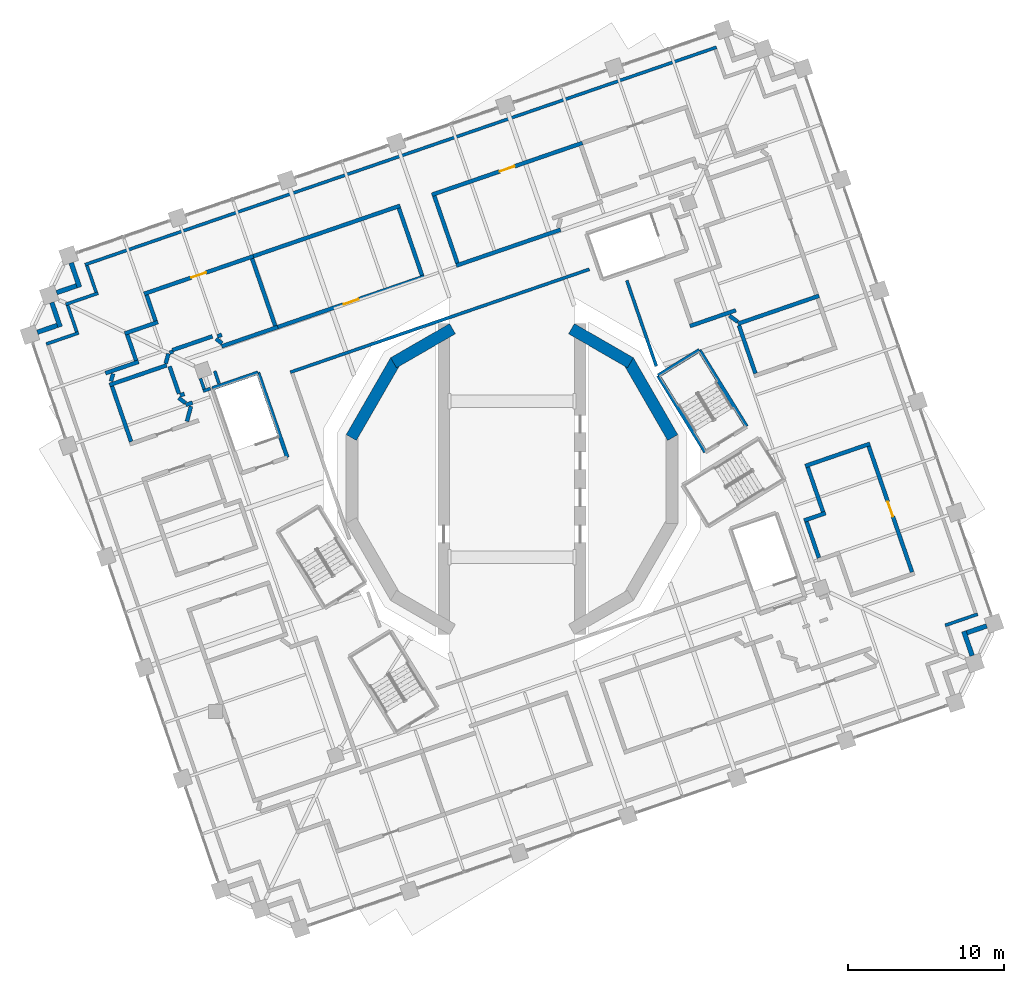
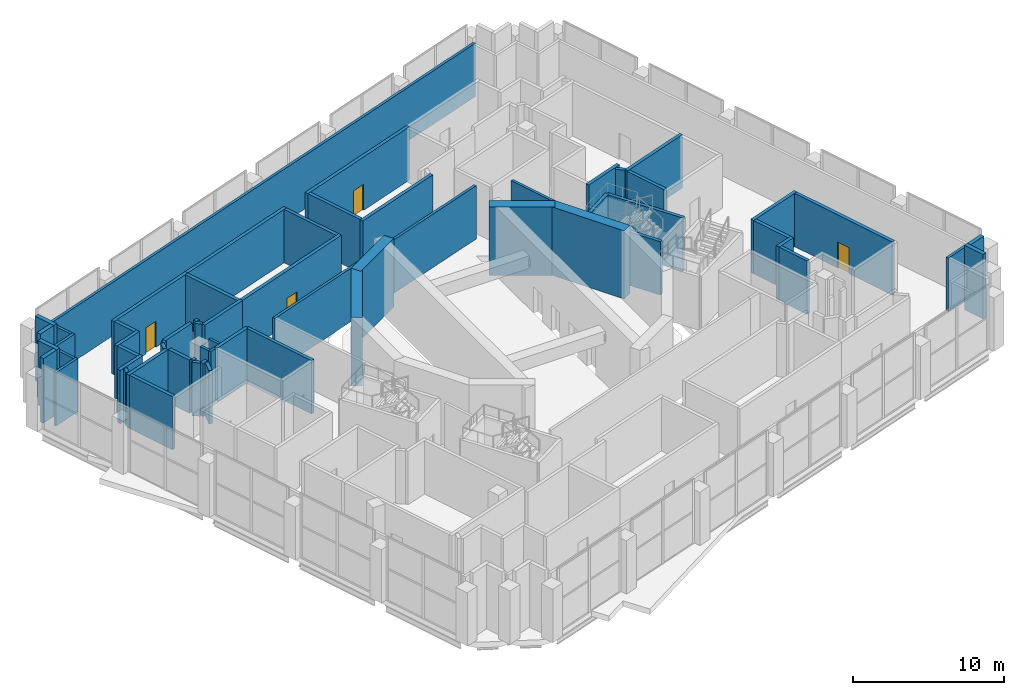
# One storey, part 13 of 20: 61 walls, 4 doors, 4 openings.
"""IFC4 building model written with IfcOpenShell, lengths in metres."""

from ifc_helpers import new_model, si_unit, direction, frame, frame_2d, origin, place, context, subcontext, project, spatial, rectangle, extrude, material, layer, layer_set, type_object, element, fill, save


model = new_model("IFC4")

# Units and contexts
model_context = context("Model", 3, precision=1e-05, world=origin(), true_north=direction((0.0, 1.0)))
body_context = subcontext(model_context, "Body", "Model", "MODEL_VIEW")
ifc_project = project(units=[si_unit("LENGTHUNIT", "METRE"), si_unit("AREAUNIT", "SQUARE_METRE"), si_unit("VOLUMEUNIT", "CUBIC_METRE"), si_unit("PLANEANGLEUNIT", "RADIAN"), si_unit("MASSUNIT", "GRAM", prefix="KILO")], contexts=[model_context])

# Site, building, storey
site_placement = place(None, origin())
site = spatial("IfcSite", under=ifc_project, at=site_placement, CompositionType="ELEMENT")
building_placement = place(site_placement, origin())
building = spatial("IfcBuilding", under=site, at=building_placement, Name="Cantera Rosa Tower", CompositionType="ELEMENT")
storey_placement = place(building_placement, frame((0.0, 0.0, 142.10009765625)))
storey = spatial("IfcBuildingStorey", under=building, at=storey_placement, Name="L30", CompositionType="ELEMENT", Elevation=142.10009765625)

# Walls
ifc_material_1 = material(Name="Masonry blockwork", Category="masonry")
ifc_layer_1 = layer(ifc_material_1, 0.199951171875)
ifc_layer_set_1 = layer_set([ifc_layer_1], Name="Blockwork partition 200")
wall_type_1 = type_object("IfcWallType", Name="Blockwork partition 200", PredefinedType="PARTITIONING", material=ifc_layer_set_1)
wall_1_placement = place(storey_placement, frame((9.2490234375, 7.2333984375, 0.0), z_axis=(0.0, 0.0, 1.0), x_axis=(-0.325597252795, 0.945508555737, 0.0)))
element("IfcWall", 1, at=wall_1_placement, inside=storey, type_object=wall_type_1, Name="Partition L30-1", PredefinedType="PARTITIONING", context=body_context, shape_type="SweptSolid", body=[
    extrude(rectangle(XDim=5.814208984375, YDim=0.199951171875, at=frame_2d((2.9072265625, 0.0))), origin(), (0.0, 0.0, 1.0), 4.2998046875),
])
wall_2_placement = place(storey_placement, frame((-14.20361328125, 6.848876953125, 0.0), z_axis=(0.0, 0.0, 1.0), x_axis=(0.945517704448, 0.325570684454, 0.0)))
element("IfcWall", 2, at=wall_2_placement, inside=storey, type_object=wall_type_1, Name="Partition L30-2", PredefinedType="PARTITIONING", context=body_context, shape_type="SweptSolid", body=[
    extrude(rectangle(XDim=20.2626953125, YDim=0.199951171875, at=frame_2d((10.13134765625, 0.0))), origin(), (0.0, 0.0, 1.0), 4.2998046875),
])
wall_3_placement = place(storey_placement, frame((-27.890869140625, 9.43359375, 0.0), z_axis=(0.0, 0.0, 1.0), x_axis=(-0.32553083102, 0.945531426266, 0.0)))
element("IfcWall", 3, at=wall_3_placement, inside=storey, type_object=wall_type_1, Name="Partition L30-114", PredefinedType="PARTITIONING", context=body_context, shape_type="SweptSolid", body=[
    extrude(rectangle(XDim=1.800048828125, YDim=0.199951171875, at=frame_2d((0.89990234375, 0.0))), origin(), (0.0, 0.0, 1.0), 4.2998046875),
])
for number, where, z_axis, x_axis, name in (
    (4, (27.763671875, -9.37158203125, 0.0), (0.0, 0.0, 1.0), (0.945541505529, 0.325501553488, 0.0), "Partition L30-116"),
    (5, (-29.84375, 8.655517578125, 0.0), (0.0, 0.0, 1.0), (0.945541505529, 0.325501553488, 0.0), "Partition L30-118"),
):
    element("IfcWall", number, at=place(storey_placement, frame(where, z_axis=z_axis, x_axis=x_axis)), inside=storey, type_object=wall_type_1, Name=name, PredefinedType="PARTITIONING", context=body_context, shape_type="SweptSolid", body=[
        extrude(rectangle(XDim=2.199951171875, YDim=0.199951171875, at=frame_2d((1.10009765625, 0.0))), origin(), (0.0, 0.0, 1.0), 4.2998046875),
    ])
wall_4_placement = place(storey_placement, frame((-28.60400390625, 11.197509765625, 0.0), z_axis=(0.0, 0.0, 1.0), x_axis=(0.945519108217, 0.325566607618, 0.0)))
element("IfcWall", 6, at=wall_4_placement, inside=storey, type_object=wall_type_1, Name="Partition L30-120", PredefinedType="PARTITIONING", context=body_context, shape_type="SweptSolid", body=[
    extrude(rectangle(XDim=2.2001953125, YDim=0.199951171875, at=frame_2d((1.10009765625, 0.0))), origin(), (0.0, 0.0, 1.0), 4.2998046875),
])
wall_5_placement = place(storey_placement, frame((-26.65087890625, 11.975830078125, 0.0), z_axis=(0.0, 0.0, 1.0), x_axis=(-0.32553083102, 0.945531426266, 0.0)))
element("IfcWall", 7, at=wall_5_placement, inside=storey, type_object=wall_type_1, Name="Partition L30-123", PredefinedType="PARTITIONING", context=body_context, shape_type="SweptSolid", body=[
    extrude(rectangle(XDim=1.800048828125, YDim=0.199951171875, at=frame_2d((0.89990234375, 0.0))), origin(), (0.0, 0.0, 1.0), 4.2998046875),
])
wall_6_placement = place(storey_placement, frame((-27.364013671875, 13.73974609375, 0.0), z_axis=(0.0, 0.0, 1.0), x_axis=(0.945518674851, 0.325567866209, 0.0)))
element("IfcWall", 8, at=wall_6_placement, inside=storey, type_object=wall_type_1, Name="Partition L30-124", PredefinedType="PARTITIONING", context=body_context, shape_type="SweptSolid", body=[
    extrude(rectangle(XDim=42.800048828125, YDim=0.199951171875, at=frame_2d((21.39990234375, 0.0))), origin(), (0.0, 0.0, 1.0), 4.2998046875),
])
wall_7_placement = place(storey_placement, frame((-18.7734375, 6.114501953125, 0.0), z_axis=(0.0, 0.0, 1.0), x_axis=(-0.325788641198, 0.945442627168, 0.0)))
element("IfcWall", 9, at=wall_7_placement, inside=storey, type_object=wall_type_1, Name="Partition L30-140", PredefinedType="PARTITIONING", context=body_context, shape_type="SweptSolid", body=[
    extrude(rectangle(XDim=0.8564453125, YDim=0.199951171875, at=frame_2d((0.42822265625, 0.0))), origin(), (0.0, 0.0, 1.0), 4.2998046875),
])
wall_8_placement = place(storey_placement, frame((-19.729248046875, 5.76416015625, 0.0), z_axis=(0.0, 0.0, 1.0), x_axis=(-0.325586807373, 0.94551215268, 0.0)))
element("IfcWall", 10, at=wall_8_placement, inside=storey, type_object=wall_type_1, Name="Partition L30-141", PredefinedType="PARTITIONING", context=body_context, shape_type="SweptSolid", body=[
    extrude(rectangle(XDim=0.7265625, YDim=0.199951171875, at=frame_2d((0.36328125, 0.0))), origin(), (0.0, 0.0, 1.0), 4.2998046875),
])
wall_9_placement = place(storey_placement, frame((-19.791259765625, 5.63720703125, 0.0), z_axis=(0.0, 0.0, 1.0), x_axis=(0.945600412947, 0.325330384433, 0.0)))
element("IfcWall", 11, at=wall_9_placement, inside=storey, type_object=wall_type_1, Name="Partition L30-142", PredefinedType="PARTITIONING", context=body_context, shape_type="SweptSolid", body=[
    extrude(rectangle(XDim=0.489990234375, YDim=0.199951171875, at=frame_2d((0.2451171875, 0.0))), origin(), (0.0, 0.0, 1.0), 4.2998046875),
])
ifc_material_2 = material(Name="Hollow clay masonry with cantera stone cladding", Category="masonry")
ifc_layer_2 = layer(ifc_material_2, 0.300048828125)
ifc_layer_set_2 = layer_set([ifc_layer_2], Name="EW-LOGGIA 300")
wall_type_2 = type_object("IfcWallType", Name="EW-LOGGIA 300", PredefinedType="SOLIDWALL", material=ifc_layer_set_2)
wall_10_placement = place(storey_placement, frame((-28.250732421875, 13.857421875, 0.0), z_axis=(0.0, 0.0, 1.0), x_axis=(0.325666906351, -0.945484566827, 0.0)))
element("IfcWall", 12, at=wall_10_placement, inside=storey, type_object=wall_type_2, Name="EN-L30-W14a", PredefinedType="SOLIDWALL", context=body_context, shape_type="SweptSolid", body=[
    extrude(rectangle(XDim=1.64990234375, YDim=0.300048828125, at=frame_2d((0.824951171875, 0.0))), origin(), (0.0, 0.0, 1.0), 5.199951171875),
])
wall_11_placement = place(storey_placement, frame((-27.904052734375, 12.390380859375, 0.0), z_axis=(0.0, 0.0, 1.0), x_axis=(-0.945545797087, -0.325489086777, 0.0)))
element("IfcWall", 13, at=wall_11_placement, inside=storey, type_object=wall_type_2, Name="EN-L30-W14b", PredefinedType="SOLIDWALL", context=body_context, shape_type="SweptSolid", body=[
    extrude(rectangle(XDim=1.35009765625, YDim=0.300048828125, at=frame_2d((0.675048828125, 0.0))), origin(), (0.0, 0.0, 1.0), 5.199951171875),
])
wall_12_placement = place(storey_placement, frame((-29.490478515625, 11.315185546875, 0.0), z_axis=(0.0, 0.0, 1.0), x_axis=(0.32553462645, -0.945530119553, 0.0)))
element("IfcWall", 14, at=wall_12_placement, inside=storey, type_object=wall_type_2, Name="EN-L30-W15a", PredefinedType="SOLIDWALL", context=body_context, shape_type="SweptSolid", body=[
    extrude(rectangle(XDim=1.64990234375, YDim=0.300048828125, at=frame_2d((0.824951171875, 0.0))), origin(), (0.0, 0.0, 1.0), 5.199951171875),
])
wall_13_placement = place(storey_placement, frame((-29.14404296875, 9.84814453125, 0.0), z_axis=(0.0, 0.0, 1.0), x_axis=(-0.945526634763, -0.325544748006, 0.0)))
element("IfcWall", 15, at=wall_13_placement, inside=storey, type_object=wall_type_2, Name="EN-L30-W15b", PredefinedType="SOLIDWALL", context=body_context, shape_type="SweptSolid", body=[
    extrude(rectangle(XDim=1.349853515625, YDim=0.300048828125, at=frame_2d((0.6748046875, 0.0))), origin(), (0.0, 0.0, 1.0), 5.199951171875),
])
wall_14_placement = place(storey_placement, frame((29.490478515625, -11.315185546875, 0.0), z_axis=(0.0, 0.0, 1.0), x_axis=(-0.32553462645, 0.945530119553, 0.0)))
element("IfcWall", 16, at=wall_14_placement, inside=storey, type_object=wall_type_2, Name="EN-L30-W30a", PredefinedType="SOLIDWALL", context=body_context, shape_type="SweptSolid", body=[
    extrude(rectangle(XDim=1.64990234375, YDim=0.300048828125, at=frame_2d((0.824951171875, 0.0))), origin(), (0.0, 0.0, 1.0), 5.199951171875),
])
wall_15_placement = place(storey_placement, frame((29.14404296875, -9.84814453125, 0.0), z_axis=(0.0, 0.0, 1.0), x_axis=(0.945526634763, 0.325544748006, 0.0)))
element("IfcWall", 17, at=wall_15_placement, inside=storey, type_object=wall_type_2, Name="EN-L30-W30b", PredefinedType="SOLIDWALL", context=body_context, shape_type="SweptSolid", body=[
    extrude(rectangle(XDim=1.349853515625, YDim=0.300048828125, at=frame_2d((0.6748046875, 0.0))), origin(), (0.0, 0.0, 1.0), 5.199951171875),
])
ifc_material_3 = material(Name="Masonry blockwork", Category="masonry")
ifc_layer_3 = layer(ifc_material_3, 0.25)
ifc_layer_set_3 = layer_set([ifc_layer_3], Name="Fire-rated wall 250")
wall_type_3 = type_object("IfcWallType", Name="Fire-rated wall 250", PredefinedType="PARTITIONING", material=ifc_layer_set_3)
wall_16_placement = place(storey_placement, frame((-20.927978515625, 4.877197265625, 0.0), z_axis=(0.0, 0.0, 1.0), x_axis=(-0.798702942118, 0.601725527339, 0.0)))
element("IfcWall", 18, at=wall_16_placement, inside=storey, type_object=wall_type_3, Name="Fire wall L30-8", PredefinedType="PARTITIONING", context=body_context, shape_type="SweptSolid", body=[
    extrude(rectangle(XDim=0.54296875, YDim=0.25, at=frame_2d((0.271484375, 0.0))), origin(), (0.0, 0.0, 1.0), 4.2998046875),
])
wall_17_placement = place(storey_placement, frame((-22.1904296875, 7.40380859375, 0.0), z_axis=(0.0, 0.0, 1.0), x_axis=(0.258693166207, 0.965959546647, 0.0)))
element("IfcWall", 19, at=wall_17_placement, inside=storey, type_object=wall_type_3, Name="Fire wall L30-9", PredefinedType="PARTITIONING", context=body_context, shape_type="SweptSolid", body=[
    extrude(rectangle(XDim=0.66357421875, YDim=0.25, at=frame_2d((0.331787109375, 0.0))), origin(), (0.0, 0.0, 1.0), 4.2998046875),
])
wall_18_placement = place(storey_placement, frame((-25.793701171875, 6.031005859375, 0.0), z_axis=(0.0, 0.0, 1.0), x_axis=(0.945516910716, 0.32557298959, 0.0)))
element("IfcWall", 20, at=wall_18_placement, inside=storey, type_object=wall_type_3, Name="Fire wall L30-10", PredefinedType="PARTITIONING", context=body_context, shape_type="SweptSolid", body=[
    extrude(rectangle(XDim=3.873046875, YDim=0.25, at=frame_2d((1.9365234375, 0.0))), origin(), (0.0, 0.0, 1.0), 4.2998046875),
])
wall_19_placement = place(storey_placement, frame((-18.60791015625, 8.50537109375, 0.0), z_axis=(0.0, 0.0, 1.0), x_axis=(0.945527860357, 0.325541188315, 0.0)))
element("IfcWall", 21, at=wall_19_placement, inside=storey, type_object=wall_type_3, Name="Fire wall L30-11", PredefinedType="PARTITIONING", context=body_context, shape_type="SweptSolid", body=[
    extrude(rectangle(XDim=3.800048828125, YDim=0.25, at=frame_2d((1.89990234375, 0.0))), origin(), (0.0, 0.0, 1.0), 4.2998046875),
])

# Wall, opening, door
wall_20_placement = place(storey_placement, frame((-15.014892578125, 9.742431640625, 0.0), z_axis=(0.0, 0.0, 1.0), x_axis=(0.945523595155, 0.325553576243, 0.0)))
wall_20 = element("IfcWall", 22, at=wall_20_placement, inside=storey, type_object=wall_type_3, Name="Fire wall L30-12", PredefinedType="PARTITIONING", context=body_context, shape_type="SweptSolid", body=[
    extrude(rectangle(XDim=9.949951171875, YDim=0.25, at=frame_2d((4.97509765625, 0.0))), origin(), (0.0, 0.0, 1.0), 4.2998046875),
])
opening_1_placement = place(wall_20_placement, frame((4.47509765625, 0.0, 0.0)))
opening_1 = element("IfcOpeningElement", 23, at=opening_1_placement, cuts=wall_20, Name="Opening L30-002", PredefinedType="OPENING", context=body_context, shape_type="SweptSolid", body=[
    extrude(rectangle(XDim=1.0, YDim=2.10009765625, at=frame_2d((0.5, 1.050048828125))), frame((0.0, 0.135009765625, 0.0), z_axis=(0.0, -1.0, 0.0), x_axis=(1.0, 0.0, 0.0)), (0.0, 0.0, 1.0), 0.27001953125),
])
ifc_material_4 = material(Name="Steel S355J2 (EN 10025-2)", Category="steel")
door_type = type_object("IfcDoorType", Name="Fire door 1000x2100", OperationType="NOTDEFINED", PredefinedType="DOOR", material=ifc_material_4)
door_1_placement = place(opening_1_placement, origin())
door_1 = element("IfcDoor", 24, at=door_1_placement, inside=storey, type_object=door_type, Name="Door L30-002", OverallHeight=2.10009765625, OverallWidth=1.0, PredefinedType="DOOR", context=body_context, shape_type="SweptSolid", body=[
    extrude(rectangle(XDim=1.0, YDim=2.10009765625, at=frame_2d((0.5, 1.050048828125))), frame((0.0, 0.02490234375, 0.0), z_axis=(0.0, -1.0, 0.0), x_axis=(1.0, 0.0, 0.0)), (0.0, 0.0, 1.0), 0.050048828125),
])
fill(opening_1, door_1)

# Walls
wall_21_placement = place(storey_placement, frame((-3.57421875, 13.681884765625, 0.0), z_axis=(0.0, 0.0, 1.0), x_axis=(0.945526423104, 0.325545362755, 0.0)))
element("IfcWall", 25, at=wall_21_placement, inside=storey, type_object=wall_type_3, Name="Fire wall L30-13", PredefinedType="PARTITIONING", context=body_context, shape_type="SweptSolid", body=[
    extrude(rectangle(XDim=7.06298828125, YDim=0.25, at=frame_2d((3.531494140625, 0.0))), origin(), (0.0, 0.0, 1.0), 4.2998046875),
])
wall_22_placement = place(storey_placement, frame((-24.41162109375, 2.400390625, 0.0), z_axis=(0.0, 0.0, 1.0), x_axis=(-0.325548169795, 0.945525456634, 0.0)))
element("IfcWall", 26, at=wall_22_placement, inside=storey, type_object=wall_type_3, Name="Fire wall L30-20", PredefinedType="PARTITIONING", context=body_context, shape_type="SweptSolid", body=[
    extrude(rectangle(XDim=3.7578125, YDim=0.25, at=frame_2d((1.87890625, 0.0))), origin(), (0.0, 0.0, 1.0), 4.2998046875),
])
wall_23_placement = place(storey_placement, frame((-25.695556640625, 6.26708984375, 0.0), z_axis=(0.0, 0.0, 1.0), x_axis=(0.258929977343, 0.965896095257, 0.0)))
element("IfcWall", 27, at=wall_23_placement, inside=storey, type_object=wall_type_3, Name="Fire wall L30-21", PredefinedType="PARTITIONING", context=body_context, shape_type="SweptSolid", body=[
    extrude(rectangle(XDim=0.50341796875, YDim=0.25, at=frame_2d((0.251708984375, 0.0))), origin(), (0.0, 0.0, 1.0), 4.2998046875),
])
wall_24_placement = place(storey_placement, frame((-26.05419921875, 6.787353515625, 0.0), z_axis=(0.0, 0.0, 1.0), x_axis=(0.945500899264, 0.325619485735, 0.0)))
element("IfcWall", 28, at=wall_24_placement, inside=storey, type_object=wall_type_3, Name="Fire wall L30-22", PredefinedType="PARTITIONING", context=body_context, shape_type="SweptSolid", body=[
    extrude(rectangle(XDim=2.25, YDim=0.25, at=frame_2d((1.125, 0.0))), origin(), (0.0, 0.0, 1.0), 4.2998046875),
])
wall_25_placement = place(storey_placement, frame((-21.76171875, 8.265380859375, 0.0), z_axis=(0.0, 0.0, 1.0), x_axis=(0.945520312327, 0.32556311059, 0.0)))
element("IfcWall", 29, at=wall_25_placement, inside=storey, type_object=wall_type_3, Name="Fire wall L30-23", PredefinedType="PARTITIONING", context=body_context, shape_type="SweptSolid", body=[
    extrude(rectangle(XDim=2.710205078125, YDim=0.25, at=frame_2d((1.35498046875, 0.0))), origin(), (0.0, 0.0, 1.0), 4.2998046875),
])
wall_26_placement = place(storey_placement, frame((-24.085693359375, 7.597412109375, 0.0), z_axis=(0.0, 0.0, 1.0), x_axis=(-0.32562949047, 0.945497453691, 0.0)))
element("IfcWall", 30, at=wall_26_placement, inside=storey, type_object=wall_type_3, Name="Fire wall L30-26", PredefinedType="PARTITIONING", context=body_context, shape_type="SweptSolid", body=[
    extrude(rectangle(XDim=1.75, YDim=0.25, at=frame_2d((0.875, 0.0))), origin(), (0.0, 0.0, 1.0), 4.2998046875),
])
wall_27_placement = place(storey_placement, frame((-24.814208984375, 9.32958984375, 0.0), z_axis=(0.0, 0.0, 1.0), x_axis=(0.945522801118, 0.3255558824, 0.0)))
element("IfcWall", 31, at=wall_27_placement, inside=storey, type_object=wall_type_3, Name="Fire wall L30-27", PredefinedType="PARTITIONING", context=body_context, shape_type="SweptSolid", body=[
    extrude(rectangle(XDim=2.249755859375, YDim=0.25, at=frame_2d((1.125, 0.0))), origin(), (0.0, 0.0, 1.0), 4.2998046875),
])
wall_28_placement = place(storey_placement, frame((-22.845703125, 10.1396484375, 0.0), z_axis=(0.0, 0.0, 1.0), x_axis=(-0.32562949047, 0.945497453691, 0.0)))
element("IfcWall", 32, at=wall_28_placement, inside=storey, type_object=wall_type_3, Name="Fire wall L30-30", PredefinedType="PARTITIONING", context=body_context, shape_type="SweptSolid", body=[
    extrude(rectangle(XDim=1.75, YDim=0.25, at=frame_2d((0.875, 0.0))), origin(), (0.0, 0.0, 1.0), 4.2998046875),
])

# Wall, opening, door
wall_29_placement = place(storey_placement, frame((-23.574462890625, 11.87158203125, 0.0), z_axis=(0.0, 0.0, 1.0), x_axis=(0.945509283305, 0.325595139989, 0.0)))
wall_29 = element("IfcWall", 33, at=wall_29_placement, inside=storey, type_object=wall_type_3, Name="Fire wall L30-31", PredefinedType="PARTITIONING", context=body_context, shape_type="SweptSolid", body=[
    extrude(rectangle(XDim=7.400146484375, YDim=0.25, at=frame_2d((3.7001953125, 0.0))), origin(), (0.0, 0.0, 1.0), 4.2998046875),
])
opening_2_placement = place(wall_29_placement, frame((3.199951171875, 0.0, 0.0)))
opening_2 = element("IfcOpeningElement", 34, at=opening_2_placement, cuts=wall_29, Name="Opening L30-001", PredefinedType="OPENING", context=body_context, shape_type="SweptSolid", body=[
    extrude(rectangle(XDim=1.0, YDim=2.10009765625, at=frame_2d((0.5, 1.050048828125))), frame((0.0, 0.135009765625, 0.0), z_axis=(0.0, -1.0, 0.0), x_axis=(1.0, 0.0, 0.0)), (0.0, 0.0, 1.0), 0.27001953125),
])
door_2_placement = place(opening_2_placement, origin())
door_2 = element("IfcDoor", 35, at=door_2_placement, inside=storey, type_object=door_type, Name="Door L30-001", OverallHeight=2.10009765625, OverallWidth=1.0, PredefinedType="DOOR", context=body_context, shape_type="SweptSolid", body=[
    extrude(rectangle(XDim=1.0, YDim=2.10009765625, at=frame_2d((0.5, 1.050048828125))), frame((0.0, 0.02490234375, 0.0), z_axis=(0.0, -1.0, 0.0), x_axis=(1.0, 0.0, 0.0)), (0.0, 0.0, 1.0), 0.050048828125),
])
fill(opening_2, door_2)

# Wall
wall_30_placement = place(storey_placement, frame((-16.57763671875, 14.281005859375, 0.0), z_axis=(0.0, 0.0, 1.0), x_axis=(0.945523595155, 0.325553576243, 0.0)))
element("IfcWall", 36, at=wall_30_placement, inside=storey, type_object=wall_type_3, Name="Fire wall L30-32", PredefinedType="PARTITIONING", context=body_context, shape_type="SweptSolid", body=[
    extrude(rectangle(XDim=9.949951171875, YDim=0.25, at=frame_2d((4.97509765625, 0.0))), origin(), (0.0, 0.0, 1.0), 4.2998046875),
])

# Wall, opening, door
wall_31_placement = place(storey_placement, frame((-5.13671875, 18.22021484375, 0.0), z_axis=(0.0, 0.0, 1.0), x_axis=(0.945518381877, 0.325568717067, 0.0)))
wall_31 = element("IfcWall", 37, at=wall_31_placement, inside=storey, type_object=wall_type_3, Name="Fire wall L30-33", PredefinedType="PARTITIONING", context=body_context, shape_type="SweptSolid", body=[
    extrude(rectangle(XDim=10.199951171875, YDim=0.25, at=frame_2d((5.10009765625, 0.0))), origin(), (0.0, 0.0, 1.0), 4.2998046875),
])
opening_3_placement = place(wall_31_placement, frame((4.60009765625, 0.0, 0.0)))
opening_3 = element("IfcOpeningElement", 38, at=opening_3_placement, cuts=wall_31, Name="Opening L30-003", PredefinedType="OPENING", context=body_context, shape_type="SweptSolid", body=[
    extrude(rectangle(XDim=1.0, YDim=2.10009765625, at=frame_2d((0.5, 1.050048828125))), frame((0.0, 0.135009765625, 0.0), z_axis=(0.0, -1.0, 0.0), x_axis=(1.0, 0.0, 0.0)), (0.0, 0.0, 1.0), 0.27001953125),
])
door_3_placement = place(opening_3_placement, origin())
door_3 = element("IfcDoor", 39, at=door_3_placement, inside=storey, type_object=door_type, Name="Door L30-003", OverallHeight=2.10009765625, OverallWidth=1.0, PredefinedType="DOOR", context=body_context, shape_type="SweptSolid", body=[
    extrude(rectangle(XDim=1.0, YDim=2.10009765625, at=frame_2d((0.5, 1.050048828125))), frame((0.0, 0.02490234375, 0.0), z_axis=(0.0, -1.0, 0.0), x_axis=(1.0, 0.0, 0.0)), (0.0, 0.0, 1.0), 0.050048828125),
])
fill(opening_3, door_3)

# Walls
wall_32_placement = place(storey_placement, frame((-15.173583984375, 9.81982421875, 0.0), z_axis=(0.0, 0.0, 1.0), x_axis=(-0.325580568522, 0.945514301003, 0.0)))
element("IfcWall", 40, at=wall_32_placement, inside=storey, type_object=wall_type_3, Name="Fire wall L30-36", PredefinedType="PARTITIONING", context=body_context, shape_type="SweptSolid", body=[
    extrude(rectangle(XDim=4.550048828125, YDim=0.25, at=frame_2d((2.27490234375, 0.0))), origin(), (0.0, 0.0, 1.0), 4.2998046875),
])
wall_33_placement = place(storey_placement, frame((-18.578125, 8.7001953125, 0.0), z_axis=(0.0, 0.0, 1.0), x_axis=(-0.798785019882, 0.601616565607, 0.0)))
element("IfcWall", 41, at=wall_33_placement, inside=storey, type_object=wall_type_3, Name="Fire wall L30-37", PredefinedType="PARTITIONING", context=body_context, shape_type="SweptSolid", body=[
    extrude(rectangle(XDim=0.48291015625, YDim=0.25, at=frame_2d((0.241455078125, 0.0))), origin(), (0.0, 0.0, 1.0), 4.2998046875),
])
wall_34_placement = place(storey_placement, frame((-21.93701171875, 8.099365234375, 0.0), z_axis=(0.0, 0.0, 1.0), x_axis=(0.945778340203, 0.324812763302, 0.0)))
element("IfcWall", 42, at=wall_34_placement, inside=storey, type_object=wall_type_3, Name="Fire wall L30-38", PredefinedType="PARTITIONING", context=body_context, shape_type="SweptSolid", body=[
    extrude(rectangle(XDim=0.22998046875, YDim=0.25, at=frame_2d((0.114990234375, 0.0))), origin(), (0.0, 0.0, 1.0), 4.2998046875),
])
wall_35_placement = place(storey_placement, frame((-18.87353515625, 9.154052734375, 0.0), z_axis=(0.0, 0.0, 1.0), x_axis=(0.945435591036, 0.325809059422, 0.0)))
element("IfcWall", 43, at=wall_35_placement, inside=storey, type_object=wall_type_3, Name="Fire wall L30-39", PredefinedType="PARTITIONING", context=body_context, shape_type="SweptSolid", body=[
    extrude(rectangle(XDim=0.2900390625, YDim=0.25, at=frame_2d((0.14501953125, 0.0))), origin(), (0.0, 0.0, 1.0), 4.2998046875),
])
wall_36_placement = place(storey_placement, frame((-5.765869140625, 13.059326171875, 0.0), z_axis=(0.0, 0.0, 1.0), x_axis=(-0.325597086626, 0.94550861296, 0.0)))
element("IfcWall", 44, at=wall_36_placement, inside=storey, type_object=wall_type_3, Name="Fire wall L30-42", PredefinedType="PARTITIONING", context=body_context, shape_type="SweptSolid", body=[
    extrude(rectangle(XDim=4.550048828125, YDim=0.25, at=frame_2d((2.27490234375, 0.0))), origin(), (0.0, 0.0, 1.0), 4.2998046875),
])
wall_37_placement = place(storey_placement, frame((-3.49658203125, 13.8408203125, 0.0), z_axis=(0.0, 0.0, 1.0), x_axis=(-0.325549115789, 0.945525130924, 0.0)))
element("IfcWall", 45, at=wall_37_placement, inside=storey, type_object=wall_type_3, Name="Fire wall L30-48", PredefinedType="PARTITIONING", context=body_context, shape_type="SweptSolid", body=[
    extrude(rectangle(XDim=4.5498046875, YDim=0.25, at=frame_2d((2.27490234375, 0.0))), origin(), (0.0, 0.0, 1.0), 4.2998046875),
])

# Wall, opening, door
wall_38_placement = place(storey_placement, frame((25.635009765625, -5.95361328125, 0.0), z_axis=(0.0, 0.0, 1.0), x_axis=(-0.325585551828, 0.945512585025, 0.0)))
wall_38 = element("IfcWall", 46, at=wall_38_placement, inside=storey, type_object=wall_type_3, Name="Fire wall L30-52", PredefinedType="PARTITIONING", context=body_context, shape_type="SweptSolid", body=[
    extrude(rectangle(XDim=8.525146484375, YDim=0.25, at=frame_2d((4.2626953125, 0.0))), origin(), (0.0, 0.0, 1.0), 4.2998046875),
])
opening_4_placement = place(wall_38_placement, frame((3.762451171875, 0.0, 0.0)))
opening_4 = element("IfcOpeningElement", 47, at=opening_4_placement, cuts=wall_38, Name="Opening L30-005", PredefinedType="OPENING", context=body_context, shape_type="SweptSolid", body=[
    extrude(rectangle(XDim=1.0, YDim=2.10009765625, at=frame_2d((0.5, 1.050048828125))), frame((0.0, 0.135009765625, 0.0), z_axis=(0.0, -1.0, 0.0), x_axis=(1.0, 0.0, 0.0)), (0.0, 0.0, 1.0), 0.27001953125),
])
door_4_placement = place(opening_4_placement, origin())
door_4 = element("IfcDoor", 48, at=door_4_placement, inside=storey, type_object=door_type, Name="Door L30-005", OverallHeight=2.10009765625, OverallWidth=1.0, PredefinedType="DOOR", context=body_context, shape_type="SweptSolid", body=[
    extrude(rectangle(XDim=1.0, YDim=2.10009765625, at=frame_2d((0.5, 1.050048828125))), frame((0.0, 0.02490234375, 0.0), z_axis=(0.0, -1.0, 0.0), x_axis=(1.0, 0.0, 0.0)), (0.0, 0.0, 1.0), 0.050048828125),
])
fill(opening_4, door_4)

# Walls
wall_39_placement = place(storey_placement, frame((19.936279296875, -2.10302734375, 0.0), z_axis=(0.0, 0.0, 1.0), x_axis=(-0.325546016061, 0.945526198171, 0.0)))
element("IfcWall", 49, at=wall_39_placement, inside=storey, type_object=wall_type_3, Name="Fire wall L30-62", PredefinedType="PARTITIONING", context=body_context, shape_type="SweptSolid", body=[
    extrude(rectangle(XDim=3.029052734375, YDim=0.25, at=frame_2d((1.5146484375, 0.0))), origin(), (0.0, 0.0, 1.0), 4.2998046875),
])
wall_40_placement = place(storey_placement, frame((18.791259765625, 0.83837890625, 0.0), z_axis=(0.0, 0.0, 1.0), x_axis=(0.945519041837, 0.325566800402, 0.0)))
element("IfcWall", 50, at=wall_40_placement, inside=storey, type_object=wall_type_3, Name="Fire wall L30-63", PredefinedType="PARTITIONING", context=body_context, shape_type="SweptSolid", body=[
    extrude(rectangle(XDim=4.384521484375, YDim=0.25, at=frame_2d((2.1923828125, 0.0))), origin(), (0.0, 0.0, 1.0), 4.2998046875),
])
wall_41_placement = place(storey_placement, frame((19.669677734375, -5.046142578125, 0.0), z_axis=(0.0, 0.0, 1.0), x_axis=(-0.325584619413, 0.9455129061, 0.0)))
element("IfcWall", 51, at=wall_41_placement, inside=storey, type_object=wall_type_3, Name="Fire wall L30-69", PredefinedType="PARTITIONING", context=body_context, shape_type="SweptSolid", body=[
    extrude(rectangle(XDim=2.446044921875, YDim=0.25, at=frame_2d((1.22314453125, 0.0))), origin(), (0.0, 0.0, 1.0), 4.2998046875),
])
wall_42_placement = place(storey_placement, frame((15.60009765625, 6.77294921875, 0.0), z_axis=(0.0, 0.0, 1.0), x_axis=(-0.325587809767, 0.945511807505, 0.0)))
element("IfcWall", 52, at=wall_42_placement, inside=storey, type_object=wall_type_3, Name="Fire wall L30-70", PredefinedType="PARTITIONING", context=body_context, shape_type="SweptSolid", body=[
    extrude(rectangle(XDim=3.249755859375, YDim=0.25, at=frame_2d((1.625, 0.0))), origin(), (0.0, 0.0, 1.0), 4.2998046875),
])
wall_43_placement = place(storey_placement, frame((14.460693359375, 10.082275390625, 0.0), z_axis=(0.0, 0.0, 1.0), x_axis=(-0.798702337544, 0.601726329823, 0.0)))
element("IfcWall", 53, at=wall_43_placement, inside=storey, type_object=wall_type_3, Name="Fire wall L30-71", PredefinedType="PARTITIONING", context=body_context, shape_type="SweptSolid", body=[
    extrude(rectangle(XDim=0.65576171875, YDim=0.25, at=frame_2d((0.327880859375, 0.0))), origin(), (0.0, 0.0, 1.0), 4.2998046875),
])
wall_44_placement = place(storey_placement, frame((18.714599609375, -2.656005859375, 0.0), z_axis=(0.0, 0.0, 1.0), x_axis=(0.945527461692, 0.325542346227, 0.0)))
element("IfcWall", 54, at=wall_44_placement, inside=storey, type_object=wall_type_3, Name="Fire wall L30-72", PredefinedType="PARTITIONING", context=body_context, shape_type="SweptSolid", body=[
    extrude(rectangle(XDim=1.460205078125, YDim=0.25, at=frame_2d((0.72998046875, 0.0))), origin(), (0.0, 0.0, 1.0), 4.2998046875),
])
wall_45_placement = place(storey_placement, frame((14.4775390625, 9.955810546875, 0.0), z_axis=(0.0, 0.0, 1.0), x_axis=(0.945513596254, 0.325582615166, 0.0)))
element("IfcWall", 55, at=wall_45_placement, inside=storey, type_object=wall_type_3, Name="Fire wall L30-74", PredefinedType="PARTITIONING", context=body_context, shape_type="SweptSolid", body=[
    extrude(rectangle(XDim=5.494873046875, YDim=0.25, at=frame_2d((2.74755859375, 0.0))), origin(), (0.0, 0.0, 1.0), 4.2998046875),
])
wall_46_placement = place(storey_placement, frame((-20.910888671875, 4.7509765625, 0.0), z_axis=(0.0, 0.0, 1.0), x_axis=(0.945574895058, 0.325404544891, 0.0)))
element("IfcWall", 56, at=wall_46_placement, inside=storey, type_object=wall_type_3, Name="Fire wall L30-80", PredefinedType="PARTITIONING", context=body_context, shape_type="SweptSolid", body=[
    extrude(rectangle(XDim=0.462158203125, YDim=0.25, at=frame_2d((0.23095703125, 0.0))), origin(), (0.0, 0.0, 1.0), 4.2998046875),
])
wall_47_placement = place(storey_placement, frame((11.403564453125, 9.806884765625, 0.0), z_axis=(0.0, 0.0, 1.0), x_axis=(0.945515765112, 0.325576316591, 0.0)))
element("IfcWall", 57, at=wall_47_placement, inside=storey, type_object=wall_type_3, Name="Fire wall L30-82", PredefinedType="PARTITIONING", context=body_context, shape_type="SweptSolid", body=[
    extrude(rectangle(XDim=3.105224609375, YDim=0.25, at=frame_2d((1.552734375, 0.0))), origin(), (0.0, 0.0, 1.0), 4.2998046875),
])
wall_48_placement = place(storey_placement, frame((-20.82958984375, 3.703857421875, 0.0), z_axis=(0.0, 0.0, 1.0), x_axis=(0.258776953865, 0.965937103619, 0.0)))
element("IfcWall", 58, at=wall_48_placement, inside=storey, type_object=wall_type_3, Name="Fire wall L30-107", PredefinedType="PARTITIONING", context=body_context, shape_type="SweptSolid", body=[
    extrude(rectangle(XDim=0.995361328125, YDim=0.25, at=frame_2d((0.49755859375, 0.0))), origin(), (0.0, 0.0, 1.0), 4.2998046875),
])
wall_49_placement = place(storey_placement, frame((-21.26806640625, 5.3681640625, 0.0), z_axis=(0.0, 0.0, 1.0), x_axis=(0.945309611894, 0.326174397617, 0.0)))
element("IfcWall", 59, at=wall_49_placement, inside=storey, type_object=wall_type_3, Name="Fire wall L30-109", PredefinedType="PARTITIONING", context=body_context, shape_type="SweptSolid", body=[
    extrude(rectangle(XDim=0.28662109375, YDim=0.25, at=frame_2d((0.143310546875, 0.0))), origin(), (0.0, 0.0, 1.0), 4.2998046875),
])
wall_50_placement = place(storey_placement, frame((-21.341796875, 5.47509765625, 0.0), z_axis=(0.0, 0.0, 1.0), x_axis=(-0.325596115717, 0.945508947303, 0.0)))
element("IfcWall", 60, at=wall_50_placement, inside=storey, type_object=wall_type_3, Name="Fire wall L30-111", PredefinedType="PARTITIONING", context=body_context, shape_type="SweptSolid", body=[
    extrude(rectangle(XDim=1.849853515625, YDim=0.25, at=frame_2d((0.9248046875, 0.0))), origin(), (0.0, 0.0, 1.0), 4.2998046875),
])
ifc_material_5 = material(Name="Concrete C60/75", Category="concrete")
ifc_layer_4 = layer(ifc_material_5, 0.75)
ifc_layer_set_4 = layer_set([ifc_layer_4], Name="RC CORE WALL 750 C60/75")
wall_type_4 = type_object("IfcWallType", Name="RC CORE WALL 750 C60/75", PredefinedType="SHEAR", material=ifc_layer_set_4)
wall_51_placement = place(storey_placement, frame((-10.300537109375, 2.659423828125, 0.0), z_axis=(0.0, 0.0, 1.0), x_axis=(0.500021842983, 0.866012792365, 0.0)))
element("IfcWall", 61, at=wall_51_placement, inside=storey, type_object=wall_type_4, Name="CW-W4 L30", PredefinedType="SHEAR", context=body_context, shape_type="SweptSolid", body=[
    extrude(rectangle(XDim=5.694091796875, YDim=0.75, at=frame_2d((2.84716796875, 0.0))), origin(), (0.0, 0.0, 1.0), 5.5),
])
for number, where, z_axis, x_axis, name in (
    (62, (-7.590576171875, 7.453369140625, 0.0), (0.0, 0.0, 1.0), (0.866013176292, 0.50002117804, 0.0), "CW-W5 L30"),
    (63, (3.8125, 9.634765625, 0.0), (0.0, 0.0, 1.0), (0.866013176292, -0.50002117804, 0.0), "CW-E1 L30"),
):
    element("IfcWall", number, at=place(storey_placement, frame(where, z_axis=z_axis, x_axis=x_axis)), inside=storey, type_object=wall_type_4, Name=name, PredefinedType="SHEAR", context=body_context, shape_type="SweptSolid", body=[
        extrude(rectangle(XDim=4.362548828125, YDim=0.75, at=frame_2d((2.18115234375, 0.0))), origin(), (0.0, 0.0, 1.0), 5.5),
    ])
wall_52_placement = place(storey_placement, frame((7.453369140625, 7.590576171875, 0.0), z_axis=(0.0, 0.0, 1.0), x_axis=(0.500021842983, -0.866012792365, 0.0)))
element("IfcWall", 64, at=wall_52_placement, inside=storey, type_object=wall_type_4, Name="CW-E2 L30", PredefinedType="SHEAR", context=body_context, shape_type="SweptSolid", body=[
    extrude(rectangle(XDim=5.694091796875, YDim=0.75, at=frame_2d((2.84716796875, 0.0))), origin(), (0.0, 0.0, 1.0), 5.5),
])
ifc_material_6 = material(Name="Concrete C50/60", Category="concrete")
ifc_layer_5 = layer(ifc_material_6, 0.25)
ifc_layer_set_5 = layer_set([ifc_layer_5], Name="RC stair wall 250 C50/60")
wall_type_5 = type_object("IfcWallType", Name="RC stair wall 250", PredefinedType="SOLIDWALL", material=ifc_layer_set_5)
wall_53_placement = place(storey_placement, frame((12.39013671875, 1.7392578125, 0.0), z_axis=(0.0, 0.0, 1.0), x_axis=(-0.524959451453, 0.85112723745, 0.0)))
element("IfcWall", 65, at=wall_53_placement, inside=storey, type_object=wall_type_5, Name="STAIR WALL ST-31 L30-21", PredefinedType="SOLIDWALL", context=body_context, shape_type="SweptSolid", body=[
    extrude(rectangle(XDim=5.75, YDim=0.25, at=frame_2d((2.875, 0.0))), origin(), (0.0, 0.0, 1.0), 4.2998046875),
])
wall_54_placement = place(storey_placement, frame((9.37158203125, 6.63330078125, 0.0), z_axis=(0.0, 0.0, 1.0), x_axis=(0.851111635158, 0.52498474692, 0.0)))
element("IfcWall", 66, at=wall_54_placement, inside=storey, type_object=wall_type_5, Name="STAIR WALL ST-31 L30-31", PredefinedType="SOLIDWALL", context=body_context, shape_type="SweptSolid", body=[
    extrude(rectangle(XDim=3.10009765625, YDim=0.25, at=frame_2d((1.550048828125, 0.0))), origin(), (0.0, 0.0, 1.0), 4.2998046875),
])
wall_55_placement = place(storey_placement, frame((12.010009765625, 8.2607421875, 0.0), z_axis=(0.0, 0.0, 1.0), x_axis=(0.524959451453, -0.85112723745, 0.0)))
element("IfcWall", 67, at=wall_55_placement, inside=storey, type_object=wall_type_5, Name="STAIR WALL ST-31 L30-41", PredefinedType="SOLIDWALL", context=body_context, shape_type="SweptSolid", body=[
    extrude(rectangle(XDim=5.75, YDim=0.25, at=frame_2d((2.875, 0.0))), origin(), (0.0, 0.0, 1.0), 4.2998046875),
])
wall_56_placement = place(storey_placement, frame((-19.20166015625, 5.813720703125, 0.0), z_axis=(0.0, 0.0, 1.0), x_axis=(0.945518510753, 0.325568342783, 0.0)))
element("IfcWall", 68, at=wall_56_placement, inside=storey, type_object=wall_type_5, Name="STAIR WALL ST-22 L30-31", PredefinedType="SOLIDWALL", context=body_context, shape_type="SweptSolid", body=[
    extrude(rectangle(XDim=3.10009765625, YDim=0.25, at=frame_2d((1.550048828125, 0.0))), origin(), (0.0, 0.0, 1.0), 4.2998046875),
])
wall_57_placement = place(storey_placement, frame((-16.2705078125, 6.822998046875, 0.0), z_axis=(0.0, 0.0, 1.0), x_axis=(0.32557454588, -0.945516374832, 0.0)))
element("IfcWall", 69, at=wall_57_placement, inside=storey, type_object=wall_type_5, Name="STAIR WALL ST-22 L30-41", PredefinedType="SOLIDWALL", context=body_context, shape_type="SweptSolid", body=[
    extrude(rectangle(XDim=5.75, YDim=0.25, at=frame_2d((2.875, 0.0))), origin(), (0.0, 0.0, 1.0), 4.2998046875),
])

save(model, "model.ifc")
